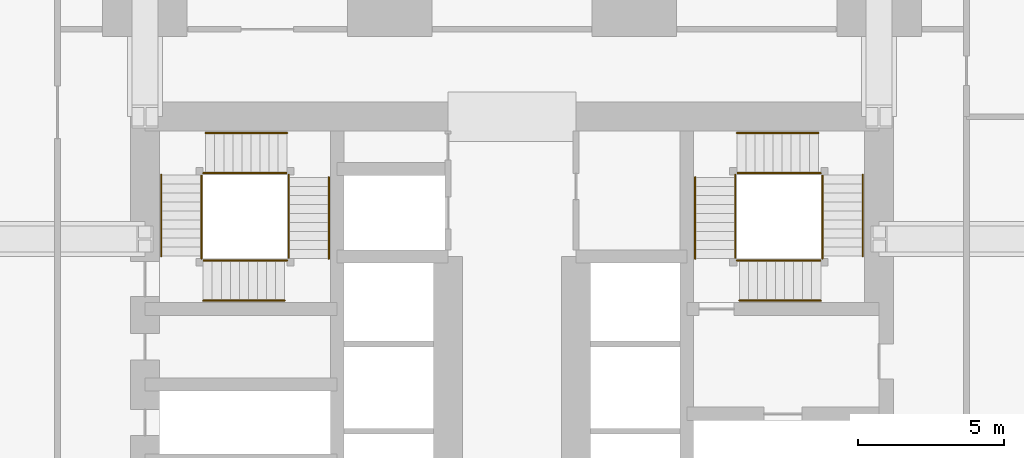
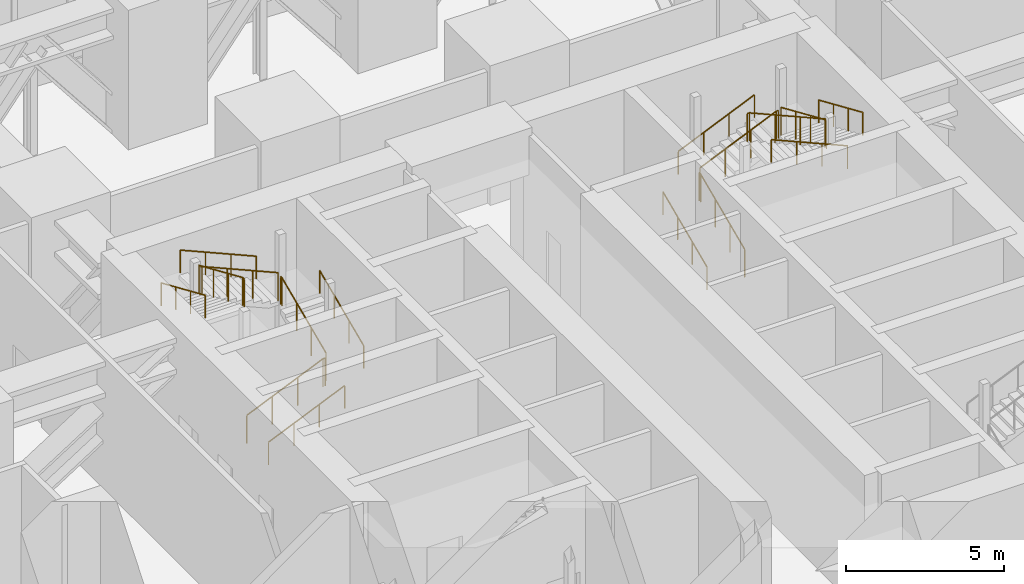
# One storey, part 16 of 16: 24 railings.
"""IFC4 building model written with IfcOpenShell, lengths in metres."""

from ifc_helpers import new_model, si_unit, direction, frame, origin, origin_2d, place, context, subcontext, project, spatial, circle, extrude, material, type_object, element, save


model = new_model("IFC4")

# Units and contexts
model_context = context("Model", 3, precision=1e-05, world=origin(), true_north=direction((0.0, 1.0)))
body_context = subcontext(model_context, "Body", "Model", "MODEL_VIEW")
ifc_project = project(units=[si_unit("LENGTHUNIT", "METRE"), si_unit("AREAUNIT", "SQUARE_METRE"), si_unit("VOLUMEUNIT", "CUBIC_METRE"), si_unit("PLANEANGLEUNIT", "RADIAN"), si_unit("MASSUNIT", "GRAM", prefix="KILO")], contexts=[model_context])

# Site, building, storey
site_placement = place(None, origin())
site = spatial("IfcSite", under=ifc_project, at=site_placement, CompositionType="ELEMENT")
building_placement = place(site_placement, origin())
building = spatial("IfcBuilding", under=site, at=building_placement, Name="Rekha Terrace Tower", CompositionType="ELEMENT")
storey_placement = place(building_placement, frame((0.0, 0.0, 85.39990234375)))
storey = spatial("IfcBuildingStorey", under=building, at=storey_placement, Name="L21", CompositionType="ELEMENT", Elevation=85.39990234375)

# Railings
ifc_material_1 = material(Name="Stainless steel balustrade", Category="steel")
railing_type_1 = type_object("IfcRailingType", Name="GR1 1100 stair guard", PredefinedType="GUARDRAIL", material=ifc_material_1)
railing_1_placement = place(storey_placement, frame((45.465087890625, 41.324951171875, 0.135009765625)))
element("IfcRailing", 1, at=railing_1_placement, inside=storey, type_object=railing_type_1, Name="Guard ST2 L21 flight 1", PredefinedType="GUARDRAIL", context=body_context, shape_type="SweptSolid", body=[
    extrude(circle(Radius=0.02392578125, at=origin_2d()), frame((0.0, 0.0, 1.076171875), z_axis=(0.0, 0.916826272601, 0.399286345707), x_axis=(-1.0, 0.0, 0.0)), (0.0, 0.0, 1.0), 3.043212890625),
    extrude(circle(Radius=0.02099609375, at=origin_2d()), origin(), (0.0, 0.0, 1.0), 1.052001953125),
    extrude(circle(Radius=0.02099609375, at=origin_2d()), frame((0.0, 0.929931640625, 0.405029296875)), (0.0, 0.0, 1.0), 1.052001953125),
    extrude(circle(Radius=0.02099609375, at=origin_2d()), frame((0.0, 1.860107421875, 0.81005859375)), (0.0, 0.0, 1.0), 1.052001953125),
    extrude(circle(Radius=0.02099609375, at=origin_2d()), frame((0.0, 2.7900390625, 1.215087890625)), (0.0, 0.0, 1.0), 1.052001953125),
])
railing_2_placement = place(storey_placement, frame((45.52490234375, 44.260009765625, 1.485107421875)))
element("IfcRailing", 2, at=railing_2_placement, inside=storey, type_object=railing_type_1, Name="Guard ST2 L21 flight 2", PredefinedType="GUARDRAIL", context=body_context, shape_type="SweptSolid", body=[
    extrude(circle(Radius=0.02392578125, at=origin_2d()), frame((0.0, 0.0, 1.076171875), z_axis=(0.916826272601, 0.0, 0.399286345707), x_axis=(0.0, 1.0, 0.0)), (0.0, 0.0, 1.0), 3.043212890625),
    extrude(circle(Radius=0.02099609375, at=origin_2d()), origin(), (0.0, 0.0, 1.0), 1.052001953125),
    extrude(circle(Radius=0.02099609375, at=origin_2d()), frame((0.929931640625, 0.0, 0.405029296875)), (0.0, 0.0, 1.0), 1.052001953125),
    extrude(circle(Radius=0.02099609375, at=origin_2d()), frame((1.860107421875, 0.0, 0.81005859375)), (0.0, 0.0, 1.0), 1.052001953125),
    extrude(circle(Radius=0.02099609375, at=origin_2d()), frame((2.7900390625, 0.0, 1.215087890625)), (0.0, 0.0, 1.0), 1.052001953125),
])
railing_3_placement = place(storey_placement, frame((48.4599609375, 44.199951171875, 2.835205078125)))
element("IfcRailing", 3, at=railing_3_placement, inside=storey, type_object=railing_type_1, Name="Guard ST2 L21 flight 3", PredefinedType="GUARDRAIL", context=body_context, shape_type="SweptSolid", body=[
    extrude(circle(Radius=0.02392578125, at=origin_2d()), frame((0.0, 0.0, 1.076171875), z_axis=(0.0, -0.916855640006, 0.399218906604), x_axis=(1.0, 0.0, 0.0)), (0.0, 0.0, 1.0), 3.04296875),
    extrude(circle(Radius=0.02099609375, at=origin_2d()), origin(), (0.0, 0.0, 1.0), 1.052001953125),
    extrude(circle(Radius=0.02099609375, at=origin_2d()), frame((0.0, -0.929931640625, 0.405029296875)), (0.0, 0.0, 1.0), 1.052001953125),
    extrude(circle(Radius=0.02099609375, at=origin_2d()), frame((0.0, -1.860107421875, 0.809814453125)), (0.0, 0.0, 1.0), 1.052001953125),
    extrude(circle(Radius=0.02099609375, at=origin_2d()), frame((0.0, -2.7900390625, 1.21484375)), (0.0, 0.0, 1.0), 1.052001953125),
])
railing_4_placement = place(storey_placement, frame((48.39990234375, 41.264892578125, 4.18505859375)))
element("IfcRailing", 4, at=railing_4_placement, inside=storey, type_object=railing_type_1, Name="Guard ST2 L21 flight 4", PredefinedType="GUARDRAIL", context=body_context, shape_type="SweptSolid", body=[
    extrude(circle(Radius=0.02392578125, at=origin_2d()), frame((0.0, 0.0, 1.076171875), z_axis=(-0.916813480743, 0.0, 0.399315716606), x_axis=(0.0, -1.0, 0.0)), (0.0, 0.0, 1.0), 3.04296875),
    extrude(circle(Radius=0.02099609375, at=origin_2d()), origin(), (0.0, 0.0, 1.0), 1.052001953125),
    extrude(circle(Radius=0.02099609375, at=origin_2d()), frame((-0.929931640625, 0.0, 0.405029296875)), (0.0, 0.0, 1.0), 1.052001953125),
    extrude(circle(Radius=0.02099609375, at=origin_2d()), frame((-1.85986328125, 0.0, 0.81005859375)), (0.0, 0.0, 1.0), 1.052001953125),
    extrude(circle(Radius=0.02099609375, at=origin_2d()), frame((-2.789794921875, 0.0, 1.215087890625)), (0.0, 0.0, 1.0), 1.052001953125),
])
railing_5_placement = place(storey_placement, frame((45.465087890625, 44.114990234375, 1.35009765625)))
element("IfcRailing", 5, at=railing_5_placement, inside=storey, type_object=railing_type_1, Name="Guard ST2 L21 landing 1", PredefinedType="GUARDRAIL", context=body_context, shape_type="SweptSolid", body=[
    extrude(circle(Radius=0.02392578125, at=origin_2d()), frame((0.0, 0.0, 1.076171875), z_axis=(0.0, 1.0, 0.0), x_axis=(-1.0, 0.0, 0.0)), (0.0, 0.0, 1.0), 0.0849609375),
    extrude(circle(Radius=0.02099609375, at=origin_2d()), origin(), (0.0, 0.0, 1.0), 1.052001953125),
    extrude(circle(Radius=0.02099609375, at=origin_2d()), frame((0.0, 0.0849609375, 0.0)), (0.0, 0.0, 1.0), 1.052001953125),
])
railing_6_placement = place(storey_placement, frame((48.31494140625, 44.260009765625, 2.7001953125)))
element("IfcRailing", 6, at=railing_6_placement, inside=storey, type_object=railing_type_1, Name="Guard ST2 L21 landing 2", PredefinedType="GUARDRAIL", context=body_context, shape_type="SweptSolid", body=[
    extrude(circle(Radius=0.02392578125, at=origin_2d()), frame((0.0, 0.0, 1.076171875), z_axis=(1.0, 0.0, 0.0), x_axis=(0.0, 1.0, 0.0)), (0.0, 0.0, 1.0), 0.0849609375),
    extrude(circle(Radius=0.02099609375, at=origin_2d()), origin(), (0.0, 0.0, 1.0), 1.052001953125),
    extrude(circle(Radius=0.02099609375, at=origin_2d()), frame((0.0849609375, 0.0, 0.0)), (0.0, 0.0, 1.0), 1.052001953125),
])
railing_7_placement = place(storey_placement, frame((48.4599609375, 41.324951171875, 4.050048828125)))
element("IfcRailing", 7, at=railing_7_placement, inside=storey, type_object=railing_type_1, Name="Guard ST2 L21 landing 3", PredefinedType="GUARDRAIL", context=body_context, shape_type="SweptSolid", body=[
    extrude(circle(Radius=0.02392578125, at=origin_2d()), frame((0.0, 0.0, 1.076171875), z_axis=(0.0, 1.0, 0.0), x_axis=(-1.0, 0.0, 0.0)), (0.0, 0.0, 1.0), 0.0849609375),
    extrude(circle(Radius=0.02099609375, at=origin_2d()), origin(), (0.0, 0.0, 1.0), 1.052001953125),
    extrude(circle(Radius=0.02099609375, at=origin_2d()), frame((0.0, 0.0849609375, 0.0)), (0.0, 0.0, 1.0), 1.052001953125),
])
railing_8_placement = place(storey_placement, frame((45.52490234375, 41.264892578125, 5.400146484375)))
element("IfcRailing", 8, at=railing_8_placement, inside=storey, type_object=railing_type_1, Name="Guard ST2 L21 landing 4", PredefinedType="GUARDRAIL", context=body_context, shape_type="SweptSolid", body=[
    extrude(circle(Radius=0.02392578125, at=origin_2d()), frame((0.0, 0.0, 1.076171875), z_axis=(1.0, 0.0, 0.0), x_axis=(0.0, 1.0, 0.0)), (0.0, 0.0, 1.0), 0.085205078125),
    extrude(circle(Radius=0.02099609375, at=origin_2d()), origin(), (0.0, 0.0, 1.0), 1.052001953125),
    extrude(circle(Radius=0.02099609375, at=origin_2d()), frame((0.085205078125, 0.0, 0.0)), (0.0, 0.0, 1.0), 1.052001953125),
])
railing_9_placement = place(storey_placement, frame((27.199951171875, 41.264892578125, 0.135009765625)))
element("IfcRailing", 9, at=railing_9_placement, inside=storey, type_object=railing_type_1, Name="Guard ST4 L21 flight 1", PredefinedType="GUARDRAIL", context=body_context, shape_type="SweptSolid", body=[
    extrude(circle(Radius=0.02392578125, at=origin_2d()), frame((0.0, 0.0, 1.076171875), z_axis=(0.916826272601, 0.0, 0.399286345707), x_axis=(0.0, 1.0, 0.0)), (0.0, 0.0, 1.0), 3.043212890625),
    extrude(circle(Radius=0.02099609375, at=origin_2d()), origin(), (0.0, 0.0, 1.0), 1.052001953125),
    extrude(circle(Radius=0.02099609375, at=origin_2d()), frame((0.929931640625, 0.0, 0.405029296875)), (0.0, 0.0, 1.0), 1.052001953125),
    extrude(circle(Radius=0.02099609375, at=origin_2d()), frame((1.860107421875, 0.0, 0.81005859375)), (0.0, 0.0, 1.0), 1.052001953125),
    extrude(circle(Radius=0.02099609375, at=origin_2d()), frame((2.7900390625, 0.0, 1.215087890625)), (0.0, 0.0, 1.0), 1.052001953125),
])
railing_10_placement = place(storey_placement, frame((30.135009765625, 41.324951171875, 1.485107421875)))
element("IfcRailing", 10, at=railing_10_placement, inside=storey, type_object=railing_type_1, Name="Guard ST4 L21 flight 2", PredefinedType="GUARDRAIL", context=body_context, shape_type="SweptSolid", body=[
    extrude(circle(Radius=0.02392578125, at=origin_2d()), frame((0.0, 0.0, 1.076171875), z_axis=(0.0, 0.916826272601, 0.399286345707), x_axis=(-1.0, 0.0, 0.0)), (0.0, 0.0, 1.0), 3.043212890625),
    extrude(circle(Radius=0.02099609375, at=origin_2d()), origin(), (0.0, 0.0, 1.0), 1.052001953125),
    extrude(circle(Radius=0.02099609375, at=origin_2d()), frame((0.0, 0.929931640625, 0.405029296875)), (0.0, 0.0, 1.0), 1.052001953125),
    extrude(circle(Radius=0.02099609375, at=origin_2d()), frame((0.0, 1.860107421875, 0.81005859375)), (0.0, 0.0, 1.0), 1.052001953125),
    extrude(circle(Radius=0.02099609375, at=origin_2d()), frame((0.0, 2.7900390625, 1.215087890625)), (0.0, 0.0, 1.0), 1.052001953125),
])
railing_11_placement = place(storey_placement, frame((30.074951171875, 44.260009765625, 2.835205078125)))
element("IfcRailing", 11, at=railing_11_placement, inside=storey, type_object=railing_type_1, Name="Guard ST4 L21 flight 3", PredefinedType="GUARDRAIL", context=body_context, shape_type="SweptSolid", body=[
    extrude(circle(Radius=0.02392578125, at=origin_2d()), frame((0.0, 0.0, 1.076171875), z_axis=(-0.916855640006, 0.0, 0.399218906604), x_axis=(0.0, -1.0, 0.0)), (0.0, 0.0, 1.0), 3.04296875),
    extrude(circle(Radius=0.02099609375, at=origin_2d()), origin(), (0.0, 0.0, 1.0), 1.052001953125),
    extrude(circle(Radius=0.02099609375, at=origin_2d()), frame((-0.929931640625, 0.0, 0.405029296875)), (0.0, 0.0, 1.0), 1.052001953125),
    extrude(circle(Radius=0.02099609375, at=origin_2d()), frame((-1.860107421875, 0.0, 0.809814453125)), (0.0, 0.0, 1.0), 1.052001953125),
    extrude(circle(Radius=0.02099609375, at=origin_2d()), frame((-2.7900390625, 0.0, 1.21484375)), (0.0, 0.0, 1.0), 1.052001953125),
])
railing_12_placement = place(storey_placement, frame((27.139892578125, 44.199951171875, 4.18505859375)))
element("IfcRailing", 12, at=railing_12_placement, inside=storey, type_object=railing_type_1, Name="Guard ST4 L21 flight 4", PredefinedType="GUARDRAIL", context=body_context, shape_type="SweptSolid", body=[
    extrude(circle(Radius=0.02392578125, at=origin_2d()), frame((0.0, 0.0, 1.076171875), z_axis=(0.0, -0.916826272601, 0.399286345707), x_axis=(1.0, 0.0, 0.0)), (0.0, 0.0, 1.0), 3.043212890625),
    extrude(circle(Radius=0.02099609375, at=origin_2d()), origin(), (0.0, 0.0, 1.0), 1.052001953125),
    extrude(circle(Radius=0.02099609375, at=origin_2d()), frame((0.0, -0.929931640625, 0.405029296875)), (0.0, 0.0, 1.0), 1.052001953125),
    extrude(circle(Radius=0.02099609375, at=origin_2d()), frame((0.0, -1.860107421875, 0.81005859375)), (0.0, 0.0, 1.0), 1.052001953125),
    extrude(circle(Radius=0.02099609375, at=origin_2d()), frame((0.0, -2.7900390625, 1.215087890625)), (0.0, 0.0, 1.0), 1.052001953125),
])
railing_13_placement = place(storey_placement, frame((29.989990234375, 41.264892578125, 1.35009765625)))
element("IfcRailing", 13, at=railing_13_placement, inside=storey, type_object=railing_type_1, Name="Guard ST4 L21 landing 1", PredefinedType="GUARDRAIL", context=body_context, shape_type="SweptSolid", body=[
    extrude(circle(Radius=0.02392578125, at=origin_2d()), frame((0.0, 0.0, 1.076171875), z_axis=(1.0, 0.0, 0.0), x_axis=(0.0, 1.0, 0.0)), (0.0, 0.0, 1.0), 0.0849609375),
    extrude(circle(Radius=0.02099609375, at=origin_2d()), origin(), (0.0, 0.0, 1.0), 1.052001953125),
    extrude(circle(Radius=0.02099609375, at=origin_2d()), frame((0.0849609375, 0.0, 0.0)), (0.0, 0.0, 1.0), 1.052001953125),
])
railing_14_placement = place(storey_placement, frame((30.135009765625, 44.114990234375, 2.7001953125)))
element("IfcRailing", 14, at=railing_14_placement, inside=storey, type_object=railing_type_1, Name="Guard ST4 L21 landing 2", PredefinedType="GUARDRAIL", context=body_context, shape_type="SweptSolid", body=[
    extrude(circle(Radius=0.02392578125, at=origin_2d()), frame((0.0, 0.0, 1.076171875), z_axis=(0.0, 1.0, 0.0), x_axis=(-1.0, 0.0, 0.0)), (0.0, 0.0, 1.0), 0.0849609375),
    extrude(circle(Radius=0.02099609375, at=origin_2d()), origin(), (0.0, 0.0, 1.0), 1.052001953125),
    extrude(circle(Radius=0.02099609375, at=origin_2d()), frame((0.0, 0.0849609375, 0.0)), (0.0, 0.0, 1.0), 1.052001953125),
])
railing_15_placement = place(storey_placement, frame((27.199951171875, 44.260009765625, 4.050048828125)))
element("IfcRailing", 15, at=railing_15_placement, inside=storey, type_object=railing_type_1, Name="Guard ST4 L21 landing 3", PredefinedType="GUARDRAIL", context=body_context, shape_type="SweptSolid", body=[
    extrude(circle(Radius=0.02392578125, at=origin_2d()), frame((0.0, 0.0, 1.076171875), z_axis=(1.0, 0.0, 0.0), x_axis=(0.0, 1.0, 0.0)), (0.0, 0.0, 1.0), 0.0849609375),
    extrude(circle(Radius=0.02099609375, at=origin_2d()), origin(), (0.0, 0.0, 1.0), 1.052001953125),
    extrude(circle(Radius=0.02099609375, at=origin_2d()), frame((0.0849609375, 0.0, 0.0)), (0.0, 0.0, 1.0), 1.052001953125),
])
railing_16_placement = place(storey_placement, frame((27.139892578125, 41.324951171875, 5.400146484375)))
element("IfcRailing", 16, at=railing_16_placement, inside=storey, type_object=railing_type_1, Name="Guard ST4 L21 landing 4", PredefinedType="GUARDRAIL", context=body_context, shape_type="SweptSolid", body=[
    extrude(circle(Radius=0.02392578125, at=origin_2d()), frame((0.0, 0.0, 1.076171875), z_axis=(0.0, 1.0, 0.0), x_axis=(-1.0, 0.0, 0.0)), (0.0, 0.0, 1.0), 0.0849609375),
    extrude(circle(Radius=0.02099609375, at=origin_2d()), origin(), (0.0, 0.0, 1.0), 1.052001953125),
    extrude(circle(Radius=0.02099609375, at=origin_2d()), frame((0.0, 0.0849609375, 0.0)), (0.0, 0.0, 1.0), 1.052001953125),
])
ifc_material_2 = material(Name="Stainless steel tube", Category="steel")
railing_type_2 = type_object("IfcRailingType", Name="HR1 900 stair handrail", PredefinedType="HANDRAIL", material=ifc_material_2)
railing_17_placement = place(storey_placement, frame((44.0849609375, 41.324951171875, 0.135009765625)))
element("IfcRailing", 17, at=railing_17_placement, inside=storey, type_object=railing_type_2, Name="Handrail ST2 L21 flight 1", PredefinedType="HANDRAIL", context=body_context, shape_type="SweptSolid", body=[
    extrude(circle(Radius=0.02392578125, at=origin_2d()), frame((0.0, 0.0, 0.8759765625), z_axis=(0.0, 0.916826272601, 0.399286345707), x_axis=(-1.0, 0.0, 0.0)), (0.0, 0.0, 1.0), 3.043212890625),
    extrude(circle(Radius=0.02099609375, at=origin_2d()), origin(), (0.0, 0.0, 1.0), 0.851806640625),
    extrude(circle(Radius=0.02099609375, at=origin_2d()), frame((0.0, 0.929931640625, 0.405029296875)), (0.0, 0.0, 1.0), 0.851806640625),
    extrude(circle(Radius=0.02099609375, at=origin_2d()), frame((0.0, 1.860107421875, 0.81005859375)), (0.0, 0.0, 1.0), 0.851806640625),
    extrude(circle(Radius=0.02099609375, at=origin_2d()), frame((0.0, 2.7900390625, 1.215087890625)), (0.0, 0.0, 1.0), 0.851806640625),
])
railing_18_placement = place(storey_placement, frame((45.52490234375, 45.639892578125, 1.485107421875)))
element("IfcRailing", 18, at=railing_18_placement, inside=storey, type_object=railing_type_2, Name="Handrail ST2 L21 flight 2", PredefinedType="HANDRAIL", context=body_context, shape_type="SweptSolid", body=[
    extrude(circle(Radius=0.02392578125, at=origin_2d()), frame((0.0, 0.0, 0.8759765625), z_axis=(0.916826272601, 0.0, 0.399286345707), x_axis=(0.0, 1.0, 0.0)), (0.0, 0.0, 1.0), 3.043212890625),
    extrude(circle(Radius=0.02099609375, at=origin_2d()), origin(), (0.0, 0.0, 1.0), 0.851806640625),
    extrude(circle(Radius=0.02099609375, at=origin_2d()), frame((0.929931640625, 0.0, 0.405029296875)), (0.0, 0.0, 1.0), 0.851806640625),
    extrude(circle(Radius=0.02099609375, at=origin_2d()), frame((1.860107421875, 0.0, 0.81005859375)), (0.0, 0.0, 1.0), 0.851806640625),
    extrude(circle(Radius=0.02099609375, at=origin_2d()), frame((2.7900390625, 0.0, 1.215087890625)), (0.0, 0.0, 1.0), 0.851806640625),
])
railing_19_placement = place(storey_placement, frame((49.840087890625, 44.199951171875, 2.835205078125)))
element("IfcRailing", 19, at=railing_19_placement, inside=storey, type_object=railing_type_2, Name="Handrail ST2 L21 flight 3", PredefinedType="HANDRAIL", context=body_context, shape_type="SweptSolid", body=[
    extrude(circle(Radius=0.02392578125, at=origin_2d()), frame((0.0, 0.0, 0.8759765625), z_axis=(0.0, -0.916855640006, 0.399218906604), x_axis=(1.0, 0.0, 0.0)), (0.0, 0.0, 1.0), 3.04296875),
    extrude(circle(Radius=0.02099609375, at=origin_2d()), origin(), (0.0, 0.0, 1.0), 0.851806640625),
    extrude(circle(Radius=0.02099609375, at=origin_2d()), frame((0.0, -0.929931640625, 0.405029296875)), (0.0, 0.0, 1.0), 0.851806640625),
    extrude(circle(Radius=0.02099609375, at=origin_2d()), frame((0.0, -1.860107421875, 0.809814453125)), (0.0, 0.0, 1.0), 0.851806640625),
    extrude(circle(Radius=0.02099609375, at=origin_2d()), frame((0.0, -2.7900390625, 1.21484375)), (0.0, 0.0, 1.0), 0.851806640625),
])
railing_20_placement = place(storey_placement, frame((48.39990234375, 39.885009765625, 4.18505859375)))
element("IfcRailing", 20, at=railing_20_placement, inside=storey, type_object=railing_type_2, Name="Handrail ST2 L21 flight 4", PredefinedType="HANDRAIL", context=body_context, shape_type="SweptSolid", body=[
    extrude(circle(Radius=0.02392578125, at=origin_2d()), frame((0.0, 0.0, 0.8759765625), z_axis=(-0.916813480743, 0.0, 0.399315716606), x_axis=(0.0, -1.0, 0.0)), (0.0, 0.0, 1.0), 3.04296875),
    extrude(circle(Radius=0.02099609375, at=origin_2d()), origin(), (0.0, 0.0, 1.0), 0.851806640625),
    extrude(circle(Radius=0.02099609375, at=origin_2d()), frame((-0.929931640625, 0.0, 0.405029296875)), (0.0, 0.0, 1.0), 0.851806640625),
    extrude(circle(Radius=0.02099609375, at=origin_2d()), frame((-1.85986328125, 0.0, 0.81005859375)), (0.0, 0.0, 1.0), 0.851806640625),
    extrude(circle(Radius=0.02099609375, at=origin_2d()), frame((-2.789794921875, 0.0, 1.215087890625)), (0.0, 0.0, 1.0), 0.851806640625),
])
railing_21_placement = place(storey_placement, frame((27.199951171875, 39.885009765625, 0.135009765625)))
element("IfcRailing", 21, at=railing_21_placement, inside=storey, type_object=railing_type_2, Name="Handrail ST4 L21 flight 1", PredefinedType="HANDRAIL", context=body_context, shape_type="SweptSolid", body=[
    extrude(circle(Radius=0.02392578125, at=origin_2d()), frame((0.0, 0.0, 0.8759765625), z_axis=(0.916826272601, 0.0, 0.399286345707), x_axis=(0.0, 1.0, 0.0)), (0.0, 0.0, 1.0), 3.043212890625),
    extrude(circle(Radius=0.02099609375, at=origin_2d()), origin(), (0.0, 0.0, 1.0), 0.851806640625),
    extrude(circle(Radius=0.02099609375, at=origin_2d()), frame((0.929931640625, 0.0, 0.405029296875)), (0.0, 0.0, 1.0), 0.851806640625),
    extrude(circle(Radius=0.02099609375, at=origin_2d()), frame((1.860107421875, 0.0, 0.81005859375)), (0.0, 0.0, 1.0), 0.851806640625),
    extrude(circle(Radius=0.02099609375, at=origin_2d()), frame((2.7900390625, 0.0, 1.215087890625)), (0.0, 0.0, 1.0), 0.851806640625),
])
railing_22_placement = place(storey_placement, frame((31.514892578125, 41.324951171875, 1.485107421875)))
element("IfcRailing", 22, at=railing_22_placement, inside=storey, type_object=railing_type_2, Name="Handrail ST4 L21 flight 2", PredefinedType="HANDRAIL", context=body_context, shape_type="SweptSolid", body=[
    extrude(circle(Radius=0.02392578125, at=origin_2d()), frame((0.0, 0.0, 0.8759765625), z_axis=(0.0, 0.916826272601, 0.399286345707), x_axis=(-1.0, 0.0, 0.0)), (0.0, 0.0, 1.0), 3.043212890625),
    extrude(circle(Radius=0.02099609375, at=origin_2d()), origin(), (0.0, 0.0, 1.0), 0.851806640625),
    extrude(circle(Radius=0.02099609375, at=origin_2d()), frame((0.0, 0.929931640625, 0.405029296875)), (0.0, 0.0, 1.0), 0.851806640625),
    extrude(circle(Radius=0.02099609375, at=origin_2d()), frame((0.0, 1.860107421875, 0.81005859375)), (0.0, 0.0, 1.0), 0.851806640625),
    extrude(circle(Radius=0.02099609375, at=origin_2d()), frame((0.0, 2.7900390625, 1.215087890625)), (0.0, 0.0, 1.0), 0.851806640625),
])
railing_23_placement = place(storey_placement, frame((30.074951171875, 45.639892578125, 2.835205078125)))
element("IfcRailing", 23, at=railing_23_placement, inside=storey, type_object=railing_type_2, Name="Handrail ST4 L21 flight 3", PredefinedType="HANDRAIL", context=body_context, shape_type="SweptSolid", body=[
    extrude(circle(Radius=0.02392578125, at=origin_2d()), frame((0.0, 0.0, 0.8759765625), z_axis=(-0.916855640006, 0.0, 0.399218906604), x_axis=(0.0, -1.0, 0.0)), (0.0, 0.0, 1.0), 3.04296875),
    extrude(circle(Radius=0.02099609375, at=origin_2d()), origin(), (0.0, 0.0, 1.0), 0.851806640625),
    extrude(circle(Radius=0.02099609375, at=origin_2d()), frame((-0.929931640625, 0.0, 0.405029296875)), (0.0, 0.0, 1.0), 0.851806640625),
    extrude(circle(Radius=0.02099609375, at=origin_2d()), frame((-1.860107421875, 0.0, 0.809814453125)), (0.0, 0.0, 1.0), 0.851806640625),
    extrude(circle(Radius=0.02099609375, at=origin_2d()), frame((-2.7900390625, 0.0, 1.21484375)), (0.0, 0.0, 1.0), 0.851806640625),
])
railing_24_placement = place(storey_placement, frame((25.760009765625, 44.199951171875, 4.18505859375)))
element("IfcRailing", 24, at=railing_24_placement, inside=storey, type_object=railing_type_2, Name="Handrail ST4 L21 flight 4", PredefinedType="HANDRAIL", context=body_context, shape_type="SweptSolid", body=[
    extrude(circle(Radius=0.02392578125, at=origin_2d()), frame((0.0, 0.0, 0.8759765625), z_axis=(0.0, -0.916826272601, 0.399286345707), x_axis=(1.0, 0.0, 0.0)), (0.0, 0.0, 1.0), 3.043212890625),
    extrude(circle(Radius=0.02099609375, at=origin_2d()), origin(), (0.0, 0.0, 1.0), 0.851806640625),
    extrude(circle(Radius=0.02099609375, at=origin_2d()), frame((0.0, -0.929931640625, 0.405029296875)), (0.0, 0.0, 1.0), 0.851806640625),
    extrude(circle(Radius=0.02099609375, at=origin_2d()), frame((0.0, -1.860107421875, 0.81005859375)), (0.0, 0.0, 1.0), 0.851806640625),
    extrude(circle(Radius=0.02099609375, at=origin_2d()), frame((0.0, -2.7900390625, 1.215087890625)), (0.0, 0.0, 1.0), 0.851806640625),
])

save(model, "model.ifc")
